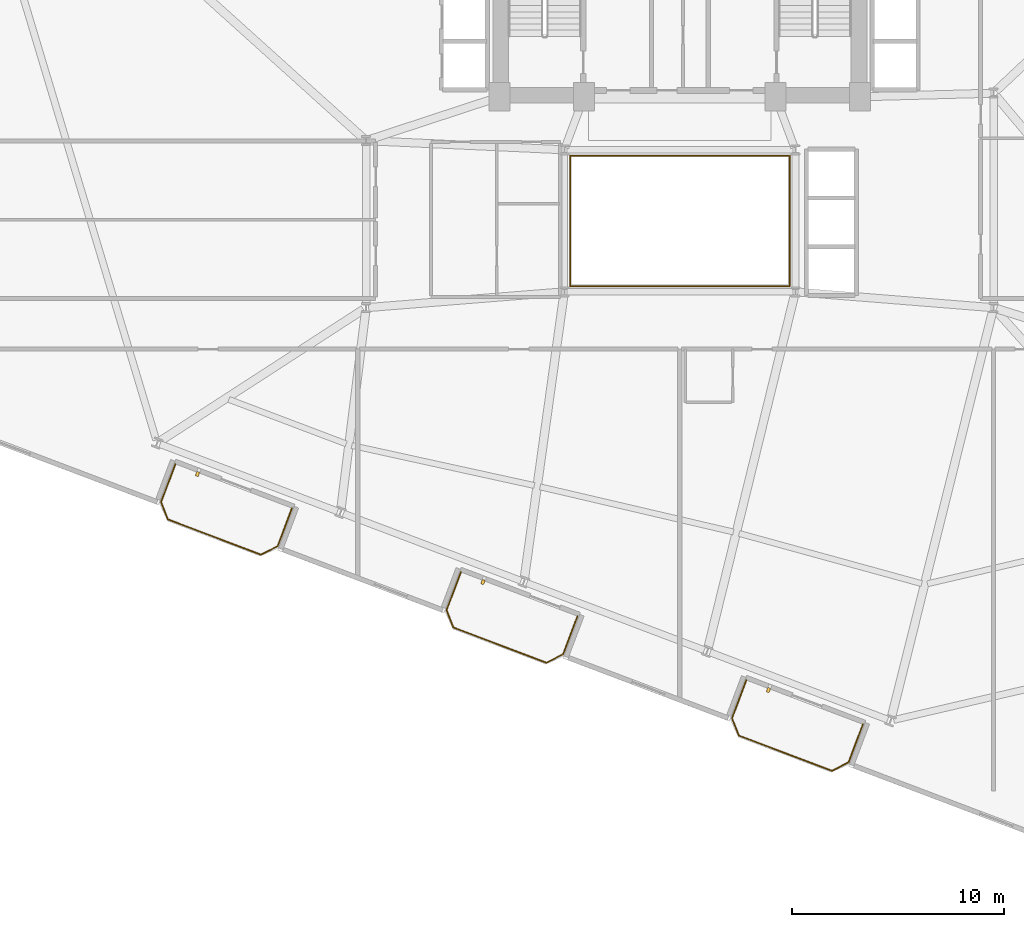
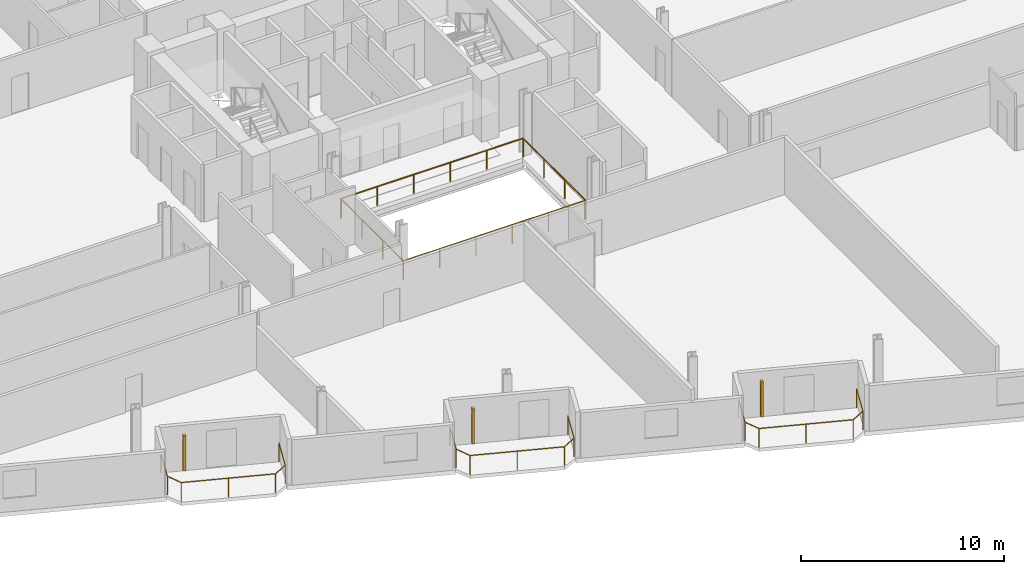
# One storey, part 23 of 25: 5 railings, 3 shading devices.
"""IFC4 building model written with IfcOpenShell, lengths in metres."""

from ifc_helpers import new_model, si_unit, direction, frame, origin, origin_2d, place, context, subcontext, project, spatial, rectangle, circle, extrude, source, transform, mapped, material, type_object, element, save


model = new_model("IFC4")

# Units and contexts
model_context = context("Model", 3, precision=1e-05, world=origin(), true_north=direction((0.0, 1.0)))
body_context = subcontext(model_context, "Body", "Model", "MODEL_VIEW")
ifc_project = project(units=[si_unit("LENGTHUNIT", "METRE"), si_unit("AREAUNIT", "SQUARE_METRE"), si_unit("VOLUMEUNIT", "CUBIC_METRE"), si_unit("PLANEANGLEUNIT", "RADIAN"), si_unit("MASSUNIT", "GRAM", prefix="KILO")], contexts=[model_context])

# Site, building, storey
site_placement = place(None, origin())
site = spatial("IfcSite", under=ifc_project, at=site_placement, CompositionType="ELEMENT")
building_placement = place(site_placement, origin())
building = spatial("IfcBuilding", under=site, at=building_placement, Name="Varnelok Gate Tower", CompositionType="ELEMENT")
storey_placement = place(building_placement, frame((0.0, 0.0, 105.800048828125)))
storey = spatial("IfcBuildingStorey", under=building, at=storey_placement, Name="L26", CompositionType="ELEMENT", Elevation=105.800048828125)

# Railings
ifc_material_1 = material(Name="Tempered Laminated Balustrade Glass", Category="glass")
railing_type_1 = type_object("IfcRailingType", Name="RL-ATR-GUARD1150", PredefinedType="GUARDRAIL", material=ifc_material_1)
railing_1_placement = place(storey_placement, frame((34.02001953125, 25.929931640625, 0.0)))
element("IfcRailing", 1, at=railing_1_placement, inside=storey, type_object=railing_type_1, Name="L26 Internal Atrium South-West Guardrail", PredefinedType="GUARDRAIL", context=body_context, shape_type="SweptSolid", body=[
    extrude(circle(Radius=0.02392578125, at=origin_2d()), frame((0.0, 0.0, 1.1259765625), z_axis=(0.0, -1.0, 0.0), x_axis=(1.0, 0.0, 0.0)), (0.0, 0.0, 1.0), 6.10986328125),
    extrude(circle(Radius=0.02392578125, at=origin_2d()), frame((0.0, -6.10986328125, 1.1259765625), z_axis=(1.0, 0.0, 0.0), x_axis=(0.0, 1.0, 0.0)), (0.0, 0.0, 1.0), 10.31005859375),
    extrude(circle(Radius=0.02099609375, at=origin_2d()), origin(), (0.0, 0.0, 1.0), 1.101806640625),
    extrude(circle(Radius=0.02099609375, at=origin_2d()), frame((0.0, -2.03662109375, 0.0)), (0.0, 0.0, 1.0), 1.101806640625),
    extrude(circle(Radius=0.02099609375, at=origin_2d()), frame((0.0, -4.0732421875, 0.0)), (0.0, 0.0, 1.0), 1.101806640625),
    extrude(circle(Radius=0.02099609375, at=origin_2d()), frame((0.0, -6.10986328125, 0.0)), (0.0, 0.0, 1.0), 1.101806640625),
    extrude(circle(Radius=0.02099609375, at=origin_2d()), frame((2.06201171875, -6.10986328125, 0.0)), (0.0, 0.0, 1.0), 1.101806640625),
    extrude(circle(Radius=0.02099609375, at=origin_2d()), frame((4.1240234375, -6.10986328125, 0.0)), (0.0, 0.0, 1.0), 1.101806640625),
    extrude(circle(Radius=0.02099609375, at=origin_2d()), frame((6.18603515625, -6.10986328125, 0.0)), (0.0, 0.0, 1.0), 1.101806640625),
    extrude(circle(Radius=0.02099609375, at=origin_2d()), frame((8.248046875, -6.10986328125, 0.0)), (0.0, 0.0, 1.0), 1.101806640625),
    extrude(circle(Radius=0.02099609375, at=origin_2d()), frame((10.31005859375, -6.10986328125, 0.0)), (0.0, 0.0, 1.0), 1.101806640625),
])
railing_2_placement = place(storey_placement, frame((44.3798828125, 19.820068359375, 0.0)))
element("IfcRailing", 2, at=railing_2_placement, inside=storey, type_object=railing_type_1, Name="L26 Internal Atrium North-East Guardrail", PredefinedType="GUARDRAIL", context=body_context, shape_type="SweptSolid", body=[
    extrude(circle(Radius=0.02392578125, at=origin_2d()), frame((0.0, 0.0, 1.1259765625), z_axis=(0.0, 1.0, 0.0), x_axis=(-1.0, 0.0, 0.0)), (0.0, 0.0, 1.0), 6.159912109375),
    extrude(circle(Radius=0.02392578125, at=origin_2d()), frame((0.0, 6.159912109375, 1.1259765625), z_axis=(-1.0, 0.0, 0.0), x_axis=(0.0, -1.0, 0.0)), (0.0, 0.0, 1.0), 10.35986328125),
    extrude(circle(Radius=0.02099609375, at=origin_2d()), origin(), (0.0, 0.0, 1.0), 1.101806640625),
    extrude(circle(Radius=0.02099609375, at=origin_2d()), frame((0.0, 2.05322265625, 0.0)), (0.0, 0.0, 1.0), 1.101806640625),
    extrude(circle(Radius=0.02099609375, at=origin_2d()), frame((0.0, 4.106689453125, 0.0)), (0.0, 0.0, 1.0), 1.101806640625),
    extrude(circle(Radius=0.02099609375, at=origin_2d()), frame((0.0, 6.159912109375, 0.0)), (0.0, 0.0, 1.0), 1.101806640625),
    extrude(circle(Radius=0.02099609375, at=origin_2d()), frame((-2.072021484375, 6.159912109375, 0.0)), (0.0, 0.0, 1.0), 1.101806640625),
    extrude(circle(Radius=0.02099609375, at=origin_2d()), frame((-4.14404296875, 6.159912109375, 0.0)), (0.0, 0.0, 1.0), 1.101806640625),
    extrude(circle(Radius=0.02099609375, at=origin_2d()), frame((-6.2158203125, 6.159912109375, 0.0)), (0.0, 0.0, 1.0), 1.101806640625),
    extrude(circle(Radius=0.02099609375, at=origin_2d()), frame((-8.287841796875, 6.159912109375, 0.0)), (0.0, 0.0, 1.0), 1.101806640625),
    extrude(circle(Radius=0.02099609375, at=origin_2d()), frame((-10.35986328125, 6.159912109375, 0.0)), (0.0, 0.0, 1.0), 1.101806640625),
])
ifc_material_2 = material(Name="Low-E Laminated Double Glazing IGU", Category="glass")
railing_type_2 = type_object("IfcRailingType", Name="RL-BALC-1150", PredefinedType="BALUSTRADE", material=ifc_material_2)
railing_3_placement = place(storey_placement, frame((15.40625, 11.42578125, 0.0)))
element("IfcRailing", 3, at=railing_3_placement, inside=storey, type_object=railing_type_2, Name="L26 South Terrace Balustrade 1", PredefinedType="BALUSTRADE", context=body_context, shape_type="SweptSolid", body=[
    extrude(circle(Radius=0.02392578125, at=origin_2d()), frame((0.0, 0.0, 1.1259765625), z_axis=(-0.354006333352, -0.935243025073, 0.0), x_axis=(0.935243025073, -0.354006333352, 0.0)), (0.0, 0.0, 1.0), 1.919921875),
    extrude(circle(Radius=0.02392578125, at=origin_2d()), frame((-0.6796875, -1.795654296875, 1.1259765625), z_axis=(0.366254584666, -0.930514685113, 0.0), x_axis=(0.930514685113, 0.366254584666, 0.0)), (0.0, 0.0, 1.0), 0.8779296875),
    extrude(circle(Radius=0.02392578125, at=origin_2d()), frame((-0.358154296875, -2.612548828125, 1.1259765625), z_axis=(0.935223045203, -0.354059113314, 0.0), x_axis=(0.354059113314, 0.935223045203, 0.0)), (0.0, 0.0, 1.0), 4.699951171875),
    extrude(circle(Radius=0.02392578125, at=origin_2d()), frame((4.037353515625, -4.276611328125, 1.1259765625), z_axis=(0.89078254773, 0.454429810487, 0.0), x_axis=(-0.454429810487, 0.89078254773, 0.0)), (0.0, 0.0, 1.0), 0.8779296875),
    extrude(circle(Radius=0.02392578125, at=origin_2d()), frame((4.8193359375, -3.877685546875, 1.1259765625), z_axis=(0.354117547856, 0.935200920819, 0.0), x_axis=(-0.935200920819, 0.354117547856, 0.0)), (0.0, 0.0, 1.0), 1.920166015625),
    extrude(circle(Radius=0.02099609375, at=origin_2d()), origin(), (0.0, 0.0, 1.0), 1.101806640625),
    extrude(circle(Radius=0.02099609375, at=origin_2d()), frame((-0.6796875, -1.795654296875, 0.0)), (0.0, 0.0, 1.0), 1.101806640625),
    extrude(circle(Radius=0.02099609375, at=origin_2d()), frame((-0.358154296875, -2.612548828125, 0.0)), (0.0, 0.0, 1.0), 1.101806640625),
    extrude(circle(Radius=0.02099609375, at=origin_2d()), frame((1.839599609375, -3.444580078125, 0.0)), (0.0, 0.0, 1.0), 1.101806640625),
    extrude(circle(Radius=0.02099609375, at=origin_2d()), frame((4.037353515625, -4.276611328125, 0.0)), (0.0, 0.0, 1.0), 1.101806640625),
    extrude(circle(Radius=0.02099609375, at=origin_2d()), frame((4.8193359375, -3.877685546875, 0.0)), (0.0, 0.0, 1.0), 1.101806640625),
    extrude(circle(Radius=0.02099609375, at=origin_2d()), frame((5.499267578125, -2.08203125, 0.0)), (0.0, 0.0, 1.0), 1.101806640625),
])
railing_4_placement = place(storey_placement, frame((28.87353515625, 6.3271484375, 0.0)))
element("IfcRailing", 4, at=railing_4_placement, inside=storey, type_object=railing_type_2, Name="L26 South Terrace Balustrade 2", PredefinedType="BALUSTRADE", context=body_context, shape_type="SweptSolid", body=[
    extrude(circle(Radius=0.02392578125, at=origin_2d()), frame((0.0, 0.0, 1.1259765625), z_axis=(-0.354117547856, -0.935200920819, 0.0), x_axis=(0.935200920819, -0.354117547856, 0.0)), (0.0, 0.0, 1.0), 1.920166015625),
    extrude(circle(Radius=0.02392578125, at=origin_2d()), frame((-0.679931640625, -1.795654296875, 1.1259765625), z_axis=(0.36659018357, -0.930382522036, 0.0), x_axis=(0.930382522036, 0.36659018357, 0.0)), (0.0, 0.0, 1.0), 0.877685546875),
    extrude(circle(Radius=0.02392578125, at=origin_2d()), frame((-0.358154296875, -2.6123046875, 1.1259765625), z_axis=(0.935223045203, -0.354059113314, 0.0), x_axis=(0.354059113314, 0.935223045203, 0.0)), (0.0, 0.0, 1.0), 4.699951171875),
    extrude(circle(Radius=0.02392578125, at=origin_2d()), frame((4.037353515625, -4.2763671875, 1.1259765625), z_axis=(0.89078254773, 0.454429810487, 0.0), x_axis=(-0.454429810487, 0.89078254773, 0.0)), (0.0, 0.0, 1.0), 0.8779296875),
    extrude(circle(Radius=0.02392578125, at=origin_2d()), frame((4.8193359375, -3.87744140625, 1.1259765625), z_axis=(0.354006333352, 0.935243025073, 0.0), x_axis=(-0.935243025073, 0.354006333352, 0.0)), (0.0, 0.0, 1.0), 1.919921875),
    extrude(circle(Radius=0.02099609375, at=origin_2d()), origin(), (0.0, 0.0, 1.0), 1.101806640625),
    extrude(circle(Radius=0.02099609375, at=origin_2d()), frame((-0.679931640625, -1.795654296875, 0.0)), (0.0, 0.0, 1.0), 1.101806640625),
    extrude(circle(Radius=0.02099609375, at=origin_2d()), frame((-0.358154296875, -2.6123046875, 0.0)), (0.0, 0.0, 1.0), 1.101806640625),
    extrude(circle(Radius=0.02099609375, at=origin_2d()), frame((1.839599609375, -3.4443359375, 0.0)), (0.0, 0.0, 1.0), 1.101806640625),
    extrude(circle(Radius=0.02099609375, at=origin_2d()), frame((4.037353515625, -4.2763671875, 0.0)), (0.0, 0.0, 1.0), 1.101806640625),
    extrude(circle(Radius=0.02099609375, at=origin_2d()), frame((4.8193359375, -3.87744140625, 0.0)), (0.0, 0.0, 1.0), 1.101806640625),
    extrude(circle(Radius=0.02099609375, at=origin_2d()), frame((5.4990234375, -2.081787109375, 0.0)), (0.0, 0.0, 1.0), 1.101806640625),
])
railing_5_placement = place(storey_placement, frame((42.3408203125, 1.228759765625, 0.0)))
element("IfcRailing", 5, at=railing_5_placement, inside=storey, type_object=railing_type_2, Name="L26 South Terrace Balustrade 3", PredefinedType="BALUSTRADE", context=body_context, shape_type="SweptSolid", body=[
    extrude(circle(Radius=0.02392578125, at=origin_2d()), frame((0.0, 0.0, 1.1259765625), z_axis=(-0.354117547856, -0.935200920819, 0.0), x_axis=(0.935200920819, -0.354117547856, 0.0)), (0.0, 0.0, 1.0), 1.920166015625),
    extrude(circle(Radius=0.02392578125, at=origin_2d()), frame((-0.679931640625, -1.795654296875, 1.1259765625), z_axis=(0.366254584666, -0.930514685113, 0.0), x_axis=(0.930514685113, 0.366254584666, 0.0)), (0.0, 0.0, 1.0), 0.8779296875),
    extrude(circle(Radius=0.02392578125, at=origin_2d()), frame((-0.3583984375, -2.612548828125, 1.1259765625), z_axis=(0.935229556479, -0.354041913744, 0.0), x_axis=(0.354041913744, 0.935229556479, 0.0)), (0.0, 0.0, 1.0), 4.7001953125),
    extrude(circle(Radius=0.02392578125, at=origin_2d()), frame((4.037353515625, -4.276611328125, 1.1259765625), z_axis=(0.890612455555, 0.454763074589, 0.0), x_axis=(-0.454763074589, 0.890612455555, 0.0)), (0.0, 0.0, 1.0), 0.877685546875),
    extrude(circle(Radius=0.02392578125, at=origin_2d()), frame((4.819091796875, -3.87744140625, 1.1259765625), z_axis=(0.354159661475, 0.935184973245, 0.0), x_axis=(-0.935184973245, 0.354159661475, 0.0)), (0.0, 0.0, 1.0), 1.919921875),
    extrude(circle(Radius=0.02099609375, at=origin_2d()), origin(), (0.0, 0.0, 1.0), 1.101806640625),
    extrude(circle(Radius=0.02099609375, at=origin_2d()), frame((-0.679931640625, -1.795654296875, 0.0)), (0.0, 0.0, 1.0), 1.101806640625),
    extrude(circle(Radius=0.02099609375, at=origin_2d()), frame((-0.3583984375, -2.612548828125, 0.0)), (0.0, 0.0, 1.0), 1.101806640625),
    extrude(circle(Radius=0.02099609375, at=origin_2d()), frame((1.83935546875, -3.444580078125, 0.0)), (0.0, 0.0, 1.0), 1.101806640625),
    extrude(circle(Radius=0.02099609375, at=origin_2d()), frame((4.037353515625, -4.276611328125, 0.0)), (0.0, 0.0, 1.0), 1.101806640625),
    extrude(circle(Radius=0.02099609375, at=origin_2d()), frame((4.819091796875, -3.87744140625, 0.0)), (0.0, 0.0, 1.0), 1.101806640625),
    extrude(circle(Radius=0.02099609375, at=origin_2d()), frame((5.4990234375, -2.08203125, 0.0)), (0.0, 0.0, 1.0), 1.101806640625),
])

# Shading devices
ifc_material_3 = material(Name="Glazed Architectural Terracotta Ceramic", Category="masonry")
shading_device_type = type_object("IfcShadingDeviceType", Name="SHD-TERRA-BAGUETTE", PredefinedType="USERDEFINED", material=ifc_material_3)
shared_shape = source(origin(), body_context, "Body", "SweptSolid", [
    extrude(rectangle(XDim=0.139892578125, YDim=0.219970703125, at=origin_2d()), origin(), (0.0, 0.0, 1.0), 2.10009765625),
])
for number, where, z_axis, x_axis, name in (
    (6, (16.44775390625, 10.95654296875, 0.099853515625), (0.0, 0.0, 1.0), (0.935221751401, -0.354062530786, 0.0), "L26 Terracotta Ceramic Baguette Sunscreen 1.1"),
    (7, (29.914794921875, 5.858154296875, 0.099853515625), (0.0, 0.0, 1.0), (0.935221751401, -0.354062530786, 0.0), "L26 Terracotta Ceramic Baguette Sunscreen 2.1"),
    (8, (43.382080078125, 0.759521484375, 0.099853515625), (0.0, 0.0, 1.0), (0.935221751401, -0.354062530786, 0.0), "L26 Terracotta Ceramic Baguette Sunscreen 3.1"),
):
    element("IfcShadingDevice", number, at=place(storey_placement, frame(where, z_axis=z_axis, x_axis=x_axis)), inside=storey, type_object=shading_device_type, Name=name, ObjectType="BAGUETTE", PredefinedType="USERDEFINED", context=body_context, shape_type="MappedRepresentation", body=[
        mapped(shared_shape, transform((0.0, 0.0, 0.0), scale=1.0)),
    ])

save(model, "model.ifc")
